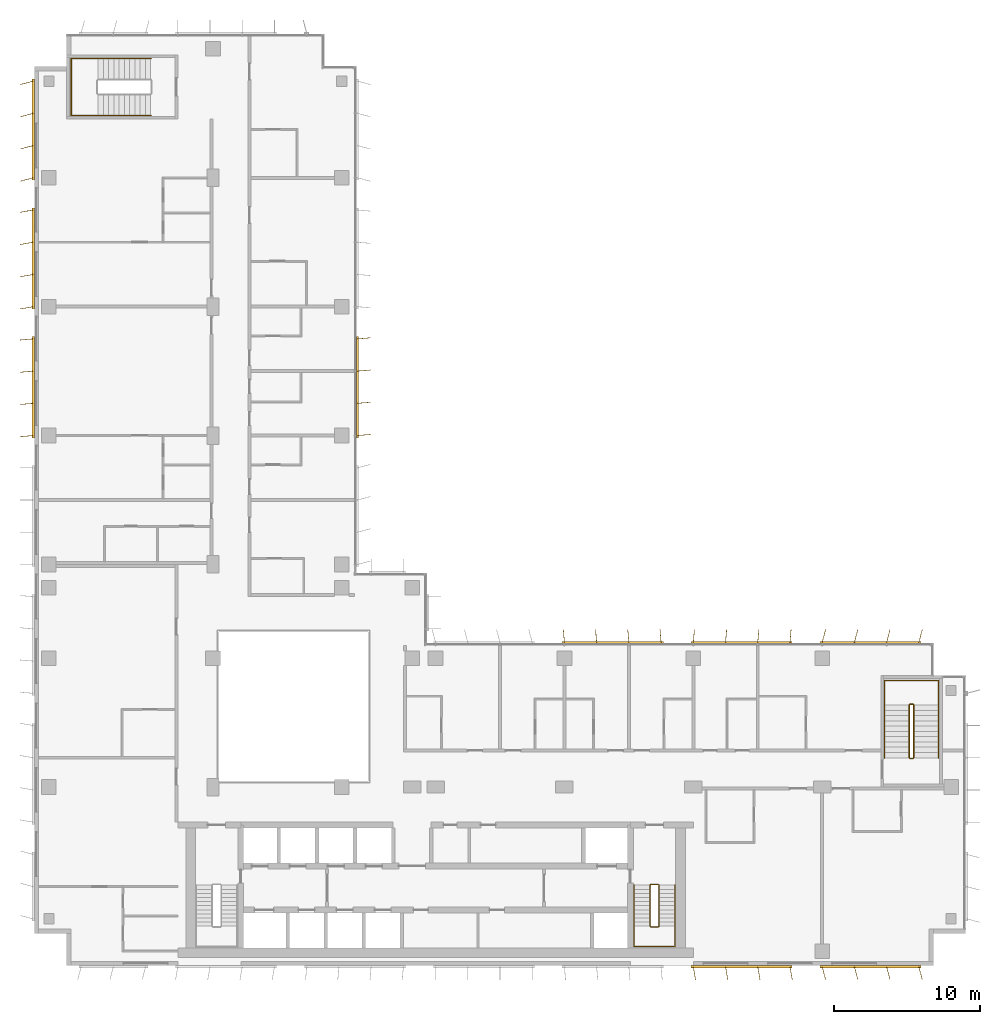
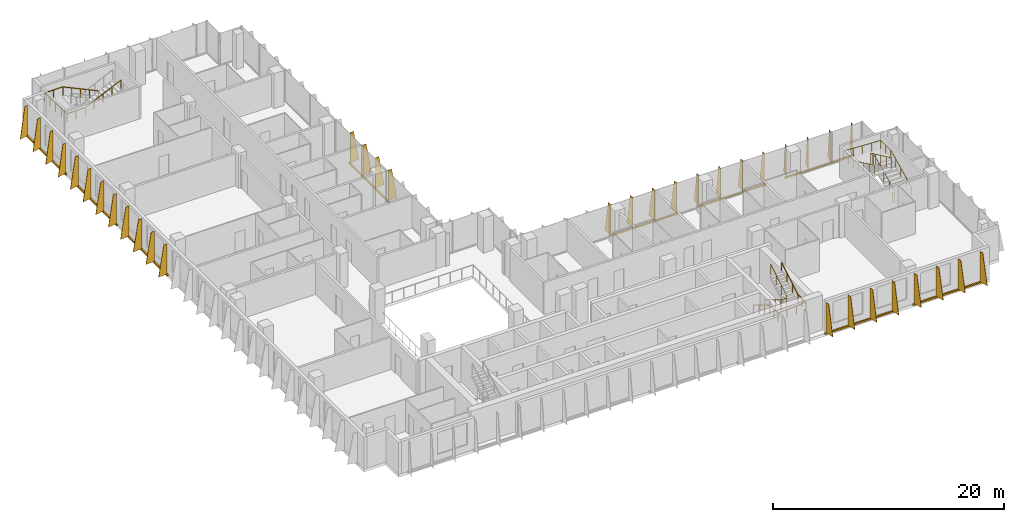
# One storey, part 20 of 21: 9 shading devices, 5 railings.
"""IFC4 building model written with IfcOpenShell, lengths in metres."""

from ifc_helpers import new_model, si_unit, direction, frame, origin, origin_2d, place, context, subcontext, project, spatial, polyline, rectangle, circle, outline, extrude, source, transform, mapped, material, layer, layer_set, type_object, element, save


model = new_model("IFC4")

# Units and contexts
model_context = context("Model", 3, precision=1e-05, world=origin(), true_north=direction((0.0, 1.0)))
body_context = subcontext(model_context, "Body", "Model", "MODEL_VIEW")
ifc_project = project(units=[si_unit("LENGTHUNIT", "METRE"), si_unit("AREAUNIT", "SQUARE_METRE"), si_unit("VOLUMEUNIT", "CUBIC_METRE"), si_unit("PLANEANGLEUNIT", "RADIAN"), si_unit("MASSUNIT", "GRAM", prefix="KILO")], contexts=[model_context])

# Site, building, storey
site_placement = place(None, origin())
site = spatial("IfcSite", under=ifc_project, at=site_placement, CompositionType="ELEMENT")
building_placement = place(site_placement, origin())
building = spatial("IfcBuilding", under=site, at=building_placement, Name="Kemantara Hotel Tower", CompositionType="ELEMENT")
storey_placement = place(building_placement, frame((0.0, 0.0, 167.89990234375)))
storey = spatial("IfcBuildingStorey", under=building, at=storey_placement, Name="L41", CompositionType="ELEMENT", Elevation=167.89990234375)

# Railings
ifc_material_1 = material(Name="Stainless steel balustrade", Category="steel")
railing_type_1 = type_object("IfcRailingType", Name="Stair guard 1100 mm", PredefinedType="GUARDRAIL", material=ifc_material_1)
railing_1_placement = place(storey_placement, frame((42.64990234375, 5.5, 3.7001953125)))
element("IfcRailing", 1, at=railing_1_placement, inside=storey, type_object=railing_type_1, Name="L41 ST2 stair guard 1", PredefinedType="GUARDRAIL", context=body_context, shape_type="SweptSolid", body=[
    extrude(circle(Radius=0.02392578125, at=origin_2d()), frame((0.0, 0.0, 1.076171875), z_axis=(0.0, -0.857242210791, -0.514913383045), x_axis=(1.0, 0.0, 0.0)), (0.0, 0.0, 1.0), 3.266357421875),
    extrude(circle(Radius=0.02392578125, at=origin_2d()), frame((0.0, -2.800048828125, -0.60595703125), z_axis=(-0.273006030465, -0.27434429532, -0.922064485248), x_axis=(0.708833529934, -0.705375805398, 0.0)), (0.0, 0.0, 1.0), 0.182373046875),
    extrude(circle(Radius=0.02392578125, at=origin_2d()), frame((-0.0498046875, -2.85009765625, -0.77392578125), z_axis=(-1.0, 0.0, 0.0), x_axis=(0.0, -1.0, 0.0)), (0.0, 0.0, 1.0), 0.5),
    extrude(circle(Radius=0.02392578125, at=origin_2d()), frame((-0.5498046875, -2.85009765625, -0.77392578125), z_axis=(-0.707106781187, 0.707106781187, 0.0), x_axis=(-0.707106781187, -0.707106781187, 0.0)), (0.0, 0.0, 1.0), 0.07080078125),
    extrude(circle(Radius=0.02392578125, at=origin_2d()), frame((-0.599853515625, -2.800048828125, -0.77392578125), z_axis=(0.0, 0.857242210791, -0.514913383045), x_axis=(-1.0, 0.0, 0.0)), (0.0, 0.0, 1.0), 3.266357421875),
    extrude(circle(Radius=0.02392578125, at=origin_2d()), frame((-0.599853515625, 0.0, -2.4560546875), z_axis=(0.274243871929, 0.274243871929, -0.92172696468), x_axis=(-0.707106781187, 0.707106781187, 0.0)), (0.0, 0.0, 1.0), 0.1826171875),
    extrude(circle(Radius=0.02392578125, at=origin_2d()), frame((-0.5498046875, 0.050048828125, -2.6240234375), z_axis=(1.0, 0.0, 0.0), x_axis=(0.0, 1.0, 0.0)), (0.0, 0.0, 1.0), 0.5),
    extrude(circle(Radius=0.02099609375, at=origin_2d()), origin(), (0.0, 0.0, 1.0), 1.052001953125),
    extrude(circle(Radius=0.02099609375, at=origin_2d()), frame((0.0, -0.933349609375, -0.560546875)), (0.0, 0.0, 1.0), 1.052001953125),
    extrude(circle(Radius=0.02099609375, at=origin_2d()), frame((0.0, -1.86669921875, -1.121337890625)), (0.0, 0.0, 1.0), 1.052001953125),
    extrude(circle(Radius=0.02099609375, at=origin_2d()), frame((0.0, -2.800048828125, -1.681884765625)), (0.0, 0.0, 1.0), 1.052001953125),
    extrude(circle(Radius=0.02099609375, at=origin_2d()), frame((-0.0498046875, -2.85009765625, -1.85009765625)), (0.0, 0.0, 1.0), 1.052001953125),
    extrude(circle(Radius=0.02099609375, at=origin_2d()), frame((-0.5498046875, -2.85009765625, -1.85009765625)), (0.0, 0.0, 1.0), 1.052001953125),
    extrude(circle(Radius=0.02099609375, at=origin_2d()), frame((-0.599853515625, -2.800048828125, -1.85009765625)), (0.0, 0.0, 1.0), 1.052001953125),
    extrude(circle(Radius=0.02099609375, at=origin_2d()), frame((-0.599853515625, -1.86669921875, -2.41064453125)), (0.0, 0.0, 1.0), 1.052001953125),
    extrude(circle(Radius=0.02099609375, at=origin_2d()), frame((-0.599853515625, -0.933349609375, -2.971435546875)), (0.0, 0.0, 1.0), 1.052001953125),
    extrude(circle(Radius=0.02099609375, at=origin_2d()), frame((-0.599853515625, 0.0, -3.531982421875)), (0.0, 0.0, 1.0), 1.052001953125),
    extrude(circle(Radius=0.02099609375, at=origin_2d()), frame((-0.5498046875, 0.050048828125, -3.7001953125)), (0.0, 0.0, 1.0), 1.052001953125),
    extrude(circle(Radius=0.02099609375, at=origin_2d()), frame((-0.0498046875, 0.050048828125, -3.7001953125)), (0.0, 0.0, 1.0), 1.052001953125),
])
railing_2_placement = place(storey_placement, frame((59.75, 14.199951171875, 3.7001953125)))
element("IfcRailing", 2, at=railing_2_placement, inside=storey, type_object=railing_type_1, Name="L41 ST3 stair guard 1", PredefinedType="GUARDRAIL", context=body_context, shape_type="SweptSolid", body=[
    extrude(circle(Radius=0.02392578125, at=origin_2d()), frame((0.0, 0.0, 1.076171875), z_axis=(0.0, 0.906005689286, -0.423265508849), x_axis=(-1.0, 0.0, 0.0)), (0.0, 0.0, 1.0), 3.9736328125),
    extrude(circle(Radius=0.02392578125, at=origin_2d()), frame((0.0, 3.60009765625, -0.60595703125), z_axis=(0.274243871929, 0.274243871929, -0.92172696468), x_axis=(-0.707106781187, 0.707106781187, 0.0)), (0.0, 0.0, 1.0), 0.1826171875),
    extrude(circle(Radius=0.02392578125, at=origin_2d()), frame((0.050048828125, 3.650146484375, -0.77392578125), z_axis=(1.0, 0.0, 0.0), x_axis=(0.0, 1.0, 0.0)), (0.0, 0.0, 1.0), 0.199951171875),
    extrude(circle(Radius=0.02392578125, at=origin_2d()), frame((0.25, 3.650146484375, -0.77392578125), z_axis=(0.707106781187, -0.707106781187, 0.0), x_axis=(0.707106781187, 0.707106781187, 0.0)), (0.0, 0.0, 1.0), 0.07080078125),
    extrude(circle(Radius=0.02392578125, at=origin_2d()), frame((0.300048828125, 3.60009765625, -0.77392578125), z_axis=(0.0, -0.906005689286, -0.423265508849), x_axis=(1.0, 0.0, 0.0)), (0.0, 0.0, 1.0), 3.9736328125),
    extrude(circle(Radius=0.02392578125, at=origin_2d()), frame((0.300048828125, 0.0, -2.4560546875), z_axis=(-0.274243871929, -0.274243871929, -0.92172696468), x_axis=(0.707106781187, -0.707106781187, 0.0)), (0.0, 0.0, 1.0), 0.1826171875),
    extrude(circle(Radius=0.02392578125, at=origin_2d()), frame((0.25, -0.050048828125, -2.6240234375), z_axis=(-1.0, 0.0, 0.0), x_axis=(0.0, -1.0, 0.0)), (0.0, 0.0, 1.0), 0.199951171875),
    extrude(circle(Radius=0.02099609375, at=origin_2d()), origin(), (0.0, 0.0, 1.0), 1.052001953125),
    extrude(circle(Radius=0.02099609375, at=origin_2d()), frame((0.0, 0.89990234375, -0.42041015625)), (0.0, 0.0, 1.0), 1.052001953125),
    extrude(circle(Radius=0.02099609375, at=origin_2d()), frame((0.0, 1.800048828125, -0.8408203125)), (0.0, 0.0, 1.0), 1.052001953125),
    extrude(circle(Radius=0.02099609375, at=origin_2d()), frame((0.0, 2.7001953125, -1.261474609375)), (0.0, 0.0, 1.0), 1.052001953125),
    extrude(circle(Radius=0.02099609375, at=origin_2d()), frame((0.0, 3.60009765625, -1.681884765625)), (0.0, 0.0, 1.0), 1.052001953125),
    extrude(circle(Radius=0.02099609375, at=origin_2d()), frame((0.050048828125, 3.650146484375, -1.85009765625)), (0.0, 0.0, 1.0), 1.052001953125),
    extrude(circle(Radius=0.02099609375, at=origin_2d()), frame((0.25, 3.650146484375, -1.85009765625)), (0.0, 0.0, 1.0), 1.052001953125),
    extrude(circle(Radius=0.02099609375, at=origin_2d()), frame((0.300048828125, 3.60009765625, -1.85009765625)), (0.0, 0.0, 1.0), 1.052001953125),
    extrude(circle(Radius=0.02099609375, at=origin_2d()), frame((0.300048828125, 2.7001953125, -2.2705078125)), (0.0, 0.0, 1.0), 1.052001953125),
    extrude(circle(Radius=0.02099609375, at=origin_2d()), frame((0.300048828125, 1.800048828125, -2.69091796875)), (0.0, 0.0, 1.0), 1.052001953125),
    extrude(circle(Radius=0.02099609375, at=origin_2d()), frame((0.300048828125, 0.89990234375, -3.111572265625)), (0.0, 0.0, 1.0), 1.052001953125),
    extrude(circle(Radius=0.02099609375, at=origin_2d()), frame((0.300048828125, 0.0, -3.531982421875)), (0.0, 0.0, 1.0), 1.052001953125),
    extrude(circle(Radius=0.02099609375, at=origin_2d()), frame((0.25, -0.050048828125, -3.7001953125)), (0.0, 0.0, 1.0), 1.052001953125),
    extrude(circle(Radius=0.02099609375, at=origin_2d()), frame((0.050048828125, -0.050048828125, -3.7001953125)), (0.0, 0.0, 1.0), 1.052001953125),
])
railing_type_2 = type_object("IfcRailingType", Name="Stair handrail 900 mm", PredefinedType="HANDRAIL", material=ifc_material_1)
railing_3_placement = place(storey_placement, frame((40.949951171875, 5.5, 0.168212890625)))
element("IfcRailing", 3, at=railing_3_placement, inside=storey, type_object=railing_type_2, Name="L41 ST2 stair handrail 1", PredefinedType="HANDRAIL", context=body_context, shape_type="SweptSolid", body=[
    extrude(circle(Radius=0.02392578125, at=origin_2d()), frame((0.0, 0.0, 0.8759765625), z_axis=(0.0, -0.857242210791, 0.514913383045), x_axis=(1.0, 0.0, 0.0)), (0.0, 0.0, 1.0), 3.266357421875),
    extrude(circle(Radius=0.02392578125, at=origin_2d()), frame((0.0, -2.800048828125, 2.5576171875), z_axis=(0.0, -1.0, 0.0), x_axis=(1.0, 0.0, 0.0)), (0.0, 0.0, 1.0), 1.3798828125),
    extrude(circle(Radius=0.02392578125, at=origin_2d()), frame((0.0, -4.179931640625, 2.5576171875), z_axis=(0.998200367801, 0.0, 0.059966871865), x_axis=(0.0, 1.0, 0.0)), (0.0, 0.0, 1.0), 2.80517578125),
    extrude(circle(Radius=0.02392578125, at=origin_2d()), frame((2.800048828125, -4.179931640625, 2.72607421875), z_axis=(0.0, 1.0, 0.0), x_axis=(-1.0, 0.0, 0.0)), (0.0, 0.0, 1.0), 1.3798828125),
    extrude(circle(Radius=0.02392578125, at=origin_2d()), frame((2.800048828125, -2.800048828125, 2.72607421875), z_axis=(0.0, 0.857242210791, 0.514913383045), x_axis=(-1.0, 0.0, 0.0)), (0.0, 0.0, 1.0), 3.266357421875),
    extrude(circle(Radius=0.02099609375, at=origin_2d()), origin(), (0.0, 0.0, 1.0), 0.851806640625),
    extrude(circle(Radius=0.02099609375, at=origin_2d()), frame((0.0, -0.933349609375, 0.560546875)), (0.0, 0.0, 1.0), 0.851806640625),
    extrude(circle(Radius=0.02099609375, at=origin_2d()), frame((0.0, -1.86669921875, 1.121337890625)), (0.0, 0.0, 1.0), 0.851806640625),
    extrude(circle(Radius=0.02099609375, at=origin_2d()), frame((0.0, -2.800048828125, 1.681884765625)), (0.0, 0.0, 1.0), 0.851806640625),
    extrude(circle(Radius=0.02099609375, at=origin_2d()), frame((0.0, -3.489990234375, 1.681884765625)), (0.0, 0.0, 1.0), 0.851806640625),
    extrude(circle(Radius=0.02099609375, at=origin_2d()), frame((0.0, -4.179931640625, 1.681884765625)), (0.0, 0.0, 1.0), 0.851806640625),
    extrude(circle(Radius=0.02099609375, at=origin_2d()), frame((0.933349609375, -4.179931640625, 1.738037109375)), (0.0, 0.0, 1.0), 0.851806640625),
    extrude(circle(Radius=0.02099609375, at=origin_2d()), frame((1.86669921875, -4.179931640625, 1.7939453125)), (0.0, 0.0, 1.0), 0.851806640625),
    extrude(circle(Radius=0.02099609375, at=origin_2d()), frame((2.800048828125, -4.179931640625, 1.85009765625)), (0.0, 0.0, 1.0), 0.851806640625),
    extrude(circle(Radius=0.02099609375, at=origin_2d()), frame((2.800048828125, -3.489990234375, 1.85009765625)), (0.0, 0.0, 1.0), 0.851806640625),
    extrude(circle(Radius=0.02099609375, at=origin_2d()), frame((2.800048828125, -2.800048828125, 1.85009765625)), (0.0, 0.0, 1.0), 0.851806640625),
    extrude(circle(Radius=0.02099609375, at=origin_2d()), frame((2.800048828125, -1.86669921875, 2.41064453125)), (0.0, 0.0, 1.0), 0.851806640625),
    extrude(circle(Radius=0.02099609375, at=origin_2d()), frame((2.800048828125, -0.933349609375, 2.971435546875)), (0.0, 0.0, 1.0), 0.851806640625),
    extrude(circle(Radius=0.02099609375, at=origin_2d()), frame((2.800048828125, 0.0, 3.531982421875)), (0.0, 0.0, 1.0), 0.851806640625),
])
railing_4_placement = place(storey_placement, frame((61.75, 14.199951171875, 0.168212890625)))
element("IfcRailing", 4, at=railing_4_placement, inside=storey, type_object=railing_type_2, Name="L41 ST3 stair handrail 1", PredefinedType="HANDRAIL", context=body_context, shape_type="SweptSolid", body=[
    extrude(circle(Radius=0.02392578125, at=origin_2d()), frame((0.0, 0.0, 0.8759765625), z_axis=(0.0, 0.906005689286, 0.423265508849), x_axis=(-1.0, 0.0, 0.0)), (0.0, 0.0, 1.0), 3.9736328125),
    extrude(circle(Radius=0.02392578125, at=origin_2d()), frame((0.0, 3.60009765625, 2.5576171875), z_axis=(0.0, 1.0, 0.0), x_axis=(-1.0, 0.0, 0.0)), (0.0, 0.0, 1.0), 1.679931640625),
    extrude(circle(Radius=0.02392578125, at=origin_2d()), frame((0.0, 5.280029296875, 2.5576171875), z_axis=(-0.998968132438, 0.0, 0.045416631029), x_axis=(0.0, -1.0, 0.0)), (0.0, 0.0, 1.0), 3.703857421875),
    extrude(circle(Radius=0.02392578125, at=origin_2d()), frame((-3.699951171875, 5.280029296875, 2.72607421875), z_axis=(0.0, -1.0, 0.0), x_axis=(1.0, 0.0, 0.0)), (0.0, 0.0, 1.0), 1.679931640625),
    extrude(circle(Radius=0.02392578125, at=origin_2d()), frame((-3.699951171875, 3.60009765625, 2.72607421875), z_axis=(0.0, -0.906005689286, 0.423265508849), x_axis=(1.0, 0.0, 0.0)), (0.0, 0.0, 1.0), 3.9736328125),
    extrude(circle(Radius=0.02099609375, at=origin_2d()), origin(), (0.0, 0.0, 1.0), 0.851806640625),
    extrude(circle(Radius=0.02099609375, at=origin_2d()), frame((0.0, 0.89990234375, 0.42041015625)), (0.0, 0.0, 1.0), 0.851806640625),
    extrude(circle(Radius=0.02099609375, at=origin_2d()), frame((0.0, 1.800048828125, 0.8408203125)), (0.0, 0.0, 1.0), 0.851806640625),
    extrude(circle(Radius=0.02099609375, at=origin_2d()), frame((0.0, 2.7001953125, 1.261474609375)), (0.0, 0.0, 1.0), 0.851806640625),
    extrude(circle(Radius=0.02099609375, at=origin_2d()), frame((0.0, 3.60009765625, 1.681884765625)), (0.0, 0.0, 1.0), 0.851806640625),
    extrude(circle(Radius=0.02099609375, at=origin_2d()), frame((0.0, 4.43994140625, 1.681884765625)), (0.0, 0.0, 1.0), 0.851806640625),
    extrude(circle(Radius=0.02099609375, at=origin_2d()), frame((0.0, 5.280029296875, 1.681884765625)), (0.0, 0.0, 1.0), 0.851806640625),
    extrude(circle(Radius=0.02099609375, at=origin_2d()), frame((-0.925048828125, 5.280029296875, 1.723876953125)), (0.0, 0.0, 1.0), 0.851806640625),
    extrude(circle(Radius=0.02099609375, at=origin_2d()), frame((-1.85009765625, 5.280029296875, 1.76611328125)), (0.0, 0.0, 1.0), 0.851806640625),
    extrude(circle(Radius=0.02099609375, at=origin_2d()), frame((-2.77490234375, 5.280029296875, 1.80810546875)), (0.0, 0.0, 1.0), 0.851806640625),
    extrude(circle(Radius=0.02099609375, at=origin_2d()), frame((-3.699951171875, 5.280029296875, 1.85009765625)), (0.0, 0.0, 1.0), 0.851806640625),
    extrude(circle(Radius=0.02099609375, at=origin_2d()), frame((-3.699951171875, 4.43994140625, 1.85009765625)), (0.0, 0.0, 1.0), 0.851806640625),
    extrude(circle(Radius=0.02099609375, at=origin_2d()), frame((-3.699951171875, 3.60009765625, 1.85009765625)), (0.0, 0.0, 1.0), 0.851806640625),
    extrude(circle(Radius=0.02099609375, at=origin_2d()), frame((-3.699951171875, 2.7001953125, 2.2705078125)), (0.0, 0.0, 1.0), 0.851806640625),
    extrude(circle(Radius=0.02099609375, at=origin_2d()), frame((-3.699951171875, 1.800048828125, 2.69091796875)), (0.0, 0.0, 1.0), 0.851806640625),
    extrude(circle(Radius=0.02099609375, at=origin_2d()), frame((-3.699951171875, 0.89990234375, 3.111572265625)), (0.0, 0.0, 1.0), 0.851806640625),
    extrude(circle(Radius=0.02099609375, at=origin_2d()), frame((-3.699951171875, 0.0, 3.531982421875)), (0.0, 0.0, 1.0), 0.851806640625),
])
railing_5_placement = place(storey_placement, frame((7.949951171875, 61.949951171875, 0.168212890625)))
element("IfcRailing", 5, at=railing_5_placement, inside=storey, type_object=railing_type_2, Name="L41 ST4 stair handrail 1", PredefinedType="HANDRAIL", context=body_context, shape_type="SweptSolid", body=[
    extrude(circle(Radius=0.02392578125, at=origin_2d()), frame((0.0, 0.0, 0.8759765625), z_axis=(-0.905994681025, 0.0, 0.423289071386), x_axis=(0.0, -1.0, 0.0)), (0.0, 0.0, 1.0), 3.973388671875),
    extrude(circle(Radius=0.02392578125, at=origin_2d()), frame((-3.599853515625, 0.0, 2.5576171875), z_axis=(-1.0, 0.0, 0.0), x_axis=(0.0, -1.0, 0.0)), (0.0, 0.0, 1.0), 1.830078125),
    extrude(circle(Radius=0.02392578125, at=origin_2d()), frame((-5.429931640625, 0.0, 2.5576171875), z_axis=(0.0, -0.999071085748, 0.043092523981), x_axis=(1.0, 0.0, 0.0)), (0.0, 0.0, 1.0), 3.903564453125),
    extrude(circle(Radius=0.02392578125, at=origin_2d()), frame((-5.429931640625, -3.89990234375, 2.72607421875), z_axis=(1.0, 0.0, 0.0), x_axis=(0.0, 1.0, 0.0)), (0.0, 0.0, 1.0), 1.830078125),
    extrude(circle(Radius=0.02392578125, at=origin_2d()), frame((-3.599853515625, -3.89990234375, 2.72607421875), z_axis=(0.905994681025, 0.0, 0.423289071386), x_axis=(0.0, 1.0, 0.0)), (0.0, 0.0, 1.0), 3.973388671875),
    extrude(circle(Radius=0.02099609375, at=origin_2d()), origin(), (0.0, 0.0, 1.0), 0.851806640625),
    extrude(circle(Radius=0.02099609375, at=origin_2d()), frame((-0.89990234375, 0.0, 0.42041015625)), (0.0, 0.0, 1.0), 0.851806640625),
    extrude(circle(Radius=0.02099609375, at=origin_2d()), frame((-1.7998046875, 0.0, 0.8408203125)), (0.0, 0.0, 1.0), 0.851806640625),
    extrude(circle(Radius=0.02099609375, at=origin_2d()), frame((-2.699951171875, 0.0, 1.261474609375)), (0.0, 0.0, 1.0), 0.851806640625),
    extrude(circle(Radius=0.02099609375, at=origin_2d()), frame((-3.599853515625, 0.0, 1.681884765625)), (0.0, 0.0, 1.0), 0.851806640625),
    extrude(circle(Radius=0.02099609375, at=origin_2d()), frame((-4.514892578125, 0.0, 1.681884765625)), (0.0, 0.0, 1.0), 0.851806640625),
    extrude(circle(Radius=0.02099609375, at=origin_2d()), frame((-5.429931640625, 0.0, 1.681884765625)), (0.0, 0.0, 1.0), 0.851806640625),
    extrude(circle(Radius=0.02099609375, at=origin_2d()), frame((-5.429931640625, -0.97509765625, 1.723876953125)), (0.0, 0.0, 1.0), 0.851806640625),
    extrude(circle(Radius=0.02099609375, at=origin_2d()), frame((-5.429931640625, -1.949951171875, 1.76611328125)), (0.0, 0.0, 1.0), 0.851806640625),
    extrude(circle(Radius=0.02099609375, at=origin_2d()), frame((-5.429931640625, -2.9248046875, 1.80810546875)), (0.0, 0.0, 1.0), 0.851806640625),
    extrude(circle(Radius=0.02099609375, at=origin_2d()), frame((-5.429931640625, -3.89990234375, 1.85009765625)), (0.0, 0.0, 1.0), 0.851806640625),
    extrude(circle(Radius=0.02099609375, at=origin_2d()), frame((-4.514892578125, -3.89990234375, 1.85009765625)), (0.0, 0.0, 1.0), 0.851806640625),
    extrude(circle(Radius=0.02099609375, at=origin_2d()), frame((-3.599853515625, -3.89990234375, 1.85009765625)), (0.0, 0.0, 1.0), 0.851806640625),
    extrude(circle(Radius=0.02099609375, at=origin_2d()), frame((-2.699951171875, -3.89990234375, 2.2705078125)), (0.0, 0.0, 1.0), 0.851806640625),
    extrude(circle(Radius=0.02099609375, at=origin_2d()), frame((-1.7998046875, -3.89990234375, 2.69091796875)), (0.0, 0.0, 1.0), 0.851806640625),
    extrude(circle(Radius=0.02099609375, at=origin_2d()), frame((-0.89990234375, -3.89990234375, 3.111572265625)), (0.0, 0.0, 1.0), 0.851806640625),
    extrude(circle(Radius=0.02099609375, at=origin_2d()), frame((0.0, -3.89990234375, 3.531982421875)), (0.0, 0.0, 1.0), 0.851806640625),
])

# Shading devices
ifc_material_2 = material(Name="Perforated aluminium plate 4 mm bronze anodised", Category="aluminium")
ifc_layer_1 = layer(ifc_material_2, 0.0400390625)
ifc_layer_set_1 = layer_set([ifc_layer_1], Name="Perforated aluminium plate 4 mm bronze anodised")
shading_device_type_1 = type_object("IfcShadingDeviceType", Name="SCREEN FIN CASSETTE, 4 BLADES AT -5.0 DEG, 3200 HIGH", PredefinedType="USERDEFINED", material=ifc_layer_set_1)
shared_shape_1 = source(origin(), body_context, "Body", "SweptSolid", [
    extrude(rectangle(XDim=6.89990234375, YDim=0.14990234375, at=origin_2d()), frame((3.300048828125, -0.074951171875, -0.14990234375), z_axis=(0.0, 0.0, 1.0), x_axis=(1.0, 0.0, 0.0)), (0.0, 0.0, 1.0), 0.14990234375),
    extrude(outline(polyline([(0.0, 0.0), (0.89990234375, 0.0), (0.35009765625, 3.199951171875), (0.0, 3.199951171875), (0.0, 0.0)])), frame((0.02001953125, -0.07666015625, 0.0), z_axis=(-0.996376129781, 0.085056498884, 0.0), x_axis=(-0.085056498884, -0.996376129781, 0.0)), (0.0, 0.0, 1.0), 0.040283203125),
    extrude(outline(polyline([(0.0, 0.0), (0.89990234375, 0.0), (0.35009765625, 3.199951171875), (0.0, 3.199951171875), (0.0, 0.0)])), frame((2.219970703125, -0.07666015625, 0.0), z_axis=(-0.996331773833, 0.085574508182, 0.0), x_axis=(-0.085574508182, -0.996331773833, 0.0)), (0.0, 0.0, 1.0), 0.0400390625),
    extrude(outline(polyline([(0.0, 0.0), (0.89990234375, 0.0), (0.35009765625, 3.199951171875), (0.0, 3.199951171875), (0.0, 0.0)])), frame((4.419921875, -0.07666015625, 0.0), z_axis=(-0.996331773833, 0.085574508182, 0.0), x_axis=(-0.085574508182, -0.996331773833, 0.0)), (0.0, 0.0, 1.0), 0.0400390625),
    extrude(outline(polyline([(0.0, 0.0), (0.89990234375, 0.0), (0.35009765625, 3.199951171875), (0.0, 3.199951171875), (0.0, 0.0)])), frame((6.619873046875, -0.07666015625, 0.0), z_axis=(-0.996331773833, 0.085574508182, 0.0), x_axis=(-0.085574508182, -0.996331773833, 0.0)), (0.0, 0.0, 1.0), 0.0400390625),
])
shading_device_1_placement = place(storey_placement, frame((51.60009765625, 22.0, 0.10009765625), z_axis=(0.0, 0.0, 1.0), x_axis=(-1.0, 0.0, 0.0)))
element("IfcShadingDevice", 6, at=shading_device_1_placement, inside=storey, type_object=shading_device_type_1, Name="SCREEN FIN CASSETTE L41 T3-R14-2", ObjectType="SCREEN FIN", PredefinedType="USERDEFINED", context=body_context, shape_type="MappedRepresentation", body=[
    mapped(shared_shape_1, transform((0.0, 0.0, 0.0))),
])
ifc_layer_2 = layer(ifc_material_2, 0.0400390625)
ifc_layer_set_2 = layer_set([ifc_layer_2], Name="Perforated aluminium plate 4 mm bronze anodised")
shading_device_type_2 = type_object("IfcShadingDeviceType", Name="SCREEN FIN CASSETTE, 4 BLADES AT +5.0 DEG, 3200 HIGH", PredefinedType="USERDEFINED", material=ifc_layer_set_2)
shared_shape_2 = source(origin(), body_context, "Body", "SweptSolid", [
    extrude(rectangle(XDim=6.89990234375, YDim=0.14990234375, at=origin_2d()), frame((3.300048828125, -0.074951171875, -0.14990234375), z_axis=(0.0, 0.0, 1.0), x_axis=(1.0, 0.0, 0.0)), (0.0, 0.0, 1.0), 0.14990234375),
    extrude(outline(polyline([(0.0, 0.0), (0.89990234375, 0.0), (0.35009765625, 3.199951171875), (0.0, 3.199951171875), (0.0, 0.0)])), frame((0.02001953125, -0.0732421875, 0.0), z_axis=(-0.996376129781, -0.085056498884, 0.0), x_axis=(0.085056498884, -0.996376129781, 0.0)), (0.0, 0.0, 1.0), 0.040283203125),
    extrude(outline(polyline([(0.0, 0.0), (0.89990234375, 0.0), (0.35009765625, 3.199951171875), (0.0, 3.199951171875), (0.0, 0.0)])), frame((2.219970703125, -0.0732421875, 0.0), z_axis=(-0.996331773833, -0.085574508182, 0.0), x_axis=(0.085574508182, -0.996331773833, 0.0)), (0.0, 0.0, 1.0), 0.0400390625),
    extrude(outline(polyline([(0.0, 0.0), (0.89990234375, 0.0), (0.35009765625, 3.199951171875), (0.0, 3.199951171875), (0.0, 0.0)])), frame((4.419921875, -0.0732421875, 0.0), z_axis=(-0.996331773833, -0.085574508182, 0.0), x_axis=(0.085574508182, -0.996331773833, 0.0)), (0.0, 0.0, 1.0), 0.0400390625),
    extrude(outline(polyline([(0.0, 0.0), (0.89990234375, 0.0), (0.35009765625, 3.199951171875), (0.0, 3.199951171875), (0.0, 0.0)])), frame((6.619873046875, -0.0732421875, 0.0), z_axis=(-0.996331773833, -0.085574508182, 0.0), x_axis=(0.085574508182, -0.996331773833, 0.0)), (0.0, 0.0, 1.0), 0.0400390625),
])
for number, where, z_axis, x_axis, name in (
    (7, (0.0, 42.800048828125, 0.10009765625), (0.0, 0.0, 1.0), (0.0, -1.0, 0.0), "SCREEN FIN CASSETTE L41 T3-R05-3"),
    (8, (42.800048828125, 22.0, 0.10009765625), (0.0, 0.0, 1.0), (-1.0, 0.0, 0.0), "SCREEN FIN CASSETTE L41 T3-R14-3"),
    (9, (22.0, 36.199951171875, 0.10009765625), (0.0, 0.0, 1.0), (0.0, 1.0, 0.0), "SCREEN FIN CASSETTE L41 T3-R17-2"),
):
    element("IfcShadingDevice", number, at=place(storey_placement, frame(where, z_axis=z_axis, x_axis=x_axis)), inside=storey, type_object=shading_device_type_2, Name=name, ObjectType="SCREEN FIN", PredefinedType="USERDEFINED", context=body_context, shape_type="MappedRepresentation", body=[
        mapped(shared_shape_2, transform((0.0, 0.0, 0.0))),
    ])
ifc_layer_3 = layer(ifc_material_2, 0.0400390625)
ifc_layer_set_3 = layer_set([ifc_layer_3], Name="Perforated aluminium plate 4 mm bronze anodised")
shading_device_type_3 = type_object("IfcShadingDeviceType", Name="SCREEN FIN CASSETTE, 4 BLADES AT +10.0 DEG, 3200 HIGH", PredefinedType="USERDEFINED", material=ifc_layer_set_3)
shared_shape_3 = source(origin(), body_context, "Body", "SweptSolid", [
    extrude(rectangle(XDim=6.89990234375, YDim=0.14990234375, at=origin_2d()), frame((3.300048828125, -0.074951171875, -0.14990234375), z_axis=(0.0, 0.0, 1.0), x_axis=(1.0, 0.0, 0.0)), (0.0, 0.0, 1.0), 0.14990234375),
    extrude(outline(polyline([(0.0, 0.0), (0.89990234375, 0.0), (0.35009765625, 3.199951171875), (0.0, 3.199951171875), (0.0, 0.0)])), frame((0.019775390625, -0.071533203125, 0.0), z_axis=(-0.985389793052, -0.170314285219, 0.0), x_axis=(0.170314285219, -0.985389793052, 0.0)), (0.0, 0.0, 1.0), 0.0400390625),
    extrude(outline(polyline([(0.0, 0.0), (0.89990234375, 0.0), (0.35009765625, 3.199951171875), (0.0, 3.199951171875), (0.0, 0.0)])), frame((2.2197265625, -0.071533203125, 0.0), z_axis=(-0.98521175482, -0.171341174751, 0.0), x_axis=(0.171341174751, -0.98521175482, 0.0)), (0.0, 0.0, 1.0), 0.039794921875),
    extrude(outline(polyline([(0.0, 0.0), (0.89990234375, 0.0), (0.35009765625, 3.199951171875), (0.0, 3.199951171875), (0.0, 0.0)])), frame((4.419677734375, -0.071533203125, 0.0), z_axis=(-0.98521175482, -0.171341174751, 0.0), x_axis=(0.171341174751, -0.98521175482, 0.0)), (0.0, 0.0, 1.0), 0.039794921875),
    extrude(outline(polyline([(0.0, 0.0), (0.89990234375, 0.0), (0.35009765625, 3.199951171875), (0.0, 3.199951171875), (0.0, 0.0)])), frame((6.61962890625, -0.071533203125, 0.0), z_axis=(-0.98521175482, -0.171341174751, 0.0), x_axis=(0.171341174751, -0.98521175482, 0.0)), (0.0, 0.0, 1.0), 0.039794921875),
])
for number, where, z_axis, x_axis, name in (
    (10, (0.0, 51.60009765625, 0.10009765625), (0.0, 0.0, 1.0), (0.0, -1.0, 0.0), "SCREEN FIN CASSETTE L41 T3-R05-2"),
    (11, (45.0, 0.0, 0.10009765625), (0.0, 0.0, 1.0), (1.0, 0.0, 0.0), "SCREEN FIN CASSETTE L41 T3-R08-6"),
):
    element("IfcShadingDevice", number, at=place(storey_placement, frame(where, z_axis=z_axis, x_axis=x_axis)), inside=storey, type_object=shading_device_type_3, Name=name, ObjectType="SCREEN FIN", PredefinedType="USERDEFINED", context=body_context, shape_type="MappedRepresentation", body=[
        mapped(shared_shape_3, transform((0.0, 0.0, 0.0))),
    ])
ifc_layer_4 = layer(ifc_material_2, 0.0400390625)
ifc_layer_set_4 = layer_set([ifc_layer_4], Name="Perforated aluminium plate 4 mm bronze anodised")
shading_device_type_4 = type_object("IfcShadingDeviceType", Name="SCREEN FIN CASSETTE, 4 BLADES AT +15.0 DEG, 3200 HIGH", PredefinedType="USERDEFINED", material=ifc_layer_set_4)
shared_shape_4 = source(origin(), body_context, "Body", "SweptSolid", [
    extrude(rectangle(XDim=6.89990234375, YDim=0.14990234375, at=origin_2d()), frame((3.300048828125, -0.074951171875, -0.14990234375), z_axis=(0.0, 0.0, 1.0), x_axis=(1.0, 0.0, 0.0)), (0.0, 0.0, 1.0), 0.14990234375),
    extrude(outline(polyline([(0.0, 0.0), (0.89990234375, 0.0), (0.35009765625, 3.199951171875), (0.0, 3.199951171875), (0.0, 0.0)])), frame((0.019287109375, -0.06982421875, 0.0), z_axis=(-0.966437683387, -0.256901156343, 0.0), x_axis=(0.256901156343, -0.966437683387, 0.0)), (0.0, 0.0, 1.0), 0.039794921875),
    extrude(outline(polyline([(0.0, 0.0), (0.89990234375, 0.0), (0.35009765625, 3.199951171875), (0.0, 3.199951171875), (0.0, 0.0)])), frame((2.21923828125, -0.06982421875, 0.0), z_axis=(-0.966437683387, -0.256901156343, 0.0), x_axis=(0.256901156343, -0.966437683387, 0.0)), (0.0, 0.0, 1.0), 0.039794921875),
    extrude(outline(polyline([(0.0, 0.0), (0.89990234375, 0.0), (0.35009765625, 3.199951171875), (0.0, 3.199951171875), (0.0, 0.0)])), frame((4.41943359375, -0.06982421875, 0.0), z_axis=(-0.966837822169, -0.255391122837, 0.0), x_axis=(0.255391122837, -0.966837822169, 0.0)), (0.0, 0.0, 1.0), 0.0400390625),
    extrude(outline(polyline([(0.0, 0.0), (0.89990234375, 0.0), (0.35009765625, 3.199951171875), (0.0, 3.199951171875), (0.0, 0.0)])), frame((6.619384765625, -0.06982421875, 0.0), z_axis=(-0.966837822169, -0.255391122837, 0.0), x_axis=(0.255391122837, -0.966837822169, 0.0)), (0.0, 0.0, 1.0), 0.0400390625),
])
for number, where, z_axis, x_axis, name in (
    (12, (0.0, 60.39990234375, 0.10009765625), (0.0, 0.0, 1.0), (0.0, -1.0, 0.0), "SCREEN FIN CASSETTE L41 T3-R05-1"),
    (13, (53.800048828125, 0.0, 0.10009765625), (0.0, 0.0, 1.0), (1.0, 0.0, 0.0), "SCREEN FIN CASSETTE L41 T3-R08-7"),
):
    element("IfcShadingDevice", number, at=place(storey_placement, frame(where, z_axis=z_axis, x_axis=x_axis)), inside=storey, type_object=shading_device_type_4, Name=name, ObjectType="SCREEN FIN", PredefinedType="USERDEFINED", context=body_context, shape_type="MappedRepresentation", body=[
        mapped(shared_shape_4, transform((0.0, 0.0, 0.0))),
    ])
ifc_layer_5 = layer(ifc_material_2, 0.0400390625)
ifc_layer_set_5 = layer_set([ifc_layer_5], Name="Perforated aluminium plate 4 mm bronze anodised")
shading_device_type_5 = type_object("IfcShadingDeviceType", Name="SCREEN FIN CASSETTE, 4 BLADES AT -15.0 DEG, 3200 HIGH", PredefinedType="USERDEFINED", material=ifc_layer_set_5)
shared_shape_5 = source(origin(), body_context, "Body", "SweptSolid", [
    extrude(rectangle(XDim=6.89990234375, YDim=0.14990234375, at=origin_2d()), frame((3.300048828125, -0.074951171875, -0.14990234375), z_axis=(0.0, 0.0, 1.0), x_axis=(1.0, 0.0, 0.0)), (0.0, 0.0, 1.0), 0.14990234375),
    extrude(outline(polyline([(0.0, 0.0), (0.89990234375, 0.0), (0.35009765625, 3.199951171875), (0.0, 3.199951171875), (0.0, 0.0)])), frame((0.019287109375, -0.080078125, 0.0), z_axis=(-0.966437683387, 0.256901156343, 0.0), x_axis=(-0.256901156343, -0.966437683387, 0.0)), (0.0, 0.0, 1.0), 0.039794921875),
    extrude(outline(polyline([(0.0, 0.0), (0.89990234375, 0.0), (0.35009765625, 3.199951171875), (0.0, 3.199951171875), (0.0, 0.0)])), frame((2.21923828125, -0.080078125, 0.0), z_axis=(-0.966437683387, 0.256901156343, 0.0), x_axis=(-0.256901156343, -0.966437683387, 0.0)), (0.0, 0.0, 1.0), 0.039794921875),
    extrude(outline(polyline([(0.0, 0.0), (0.89990234375, 0.0), (0.35009765625, 3.199951171875), (0.0, 3.199951171875), (0.0, 0.0)])), frame((4.41943359375, -0.080078125, 0.0), z_axis=(-0.966837822169, 0.255391122837, 0.0), x_axis=(-0.255391122837, -0.966837822169, 0.0)), (0.0, 0.0, 1.0), 0.0400390625),
    extrude(outline(polyline([(0.0, 0.0), (0.89990234375, 0.0), (0.35009765625, 3.199951171875), (0.0, 3.199951171875), (0.0, 0.0)])), frame((6.619384765625, -0.080078125, 0.0), z_axis=(-0.966837822169, 0.255391122837, 0.0), x_axis=(-0.255391122837, -0.966837822169, 0.0)), (0.0, 0.0, 1.0), 0.0400390625),
])
shading_device_2_placement = place(storey_placement, frame((60.39990234375, 22.0, 0.10009765625), z_axis=(0.0, 0.0, 1.0), x_axis=(-1.0, 0.0, 0.0)))
element("IfcShadingDevice", 14, at=shading_device_2_placement, inside=storey, type_object=shading_device_type_5, Name="SCREEN FIN CASSETTE L41 T3-R14-1", ObjectType="SCREEN FIN", PredefinedType="USERDEFINED", context=body_context, shape_type="MappedRepresentation", body=[
    mapped(shared_shape_5, transform((0.0, 0.0, 0.0))),
])

save(model, "model.ifc")
